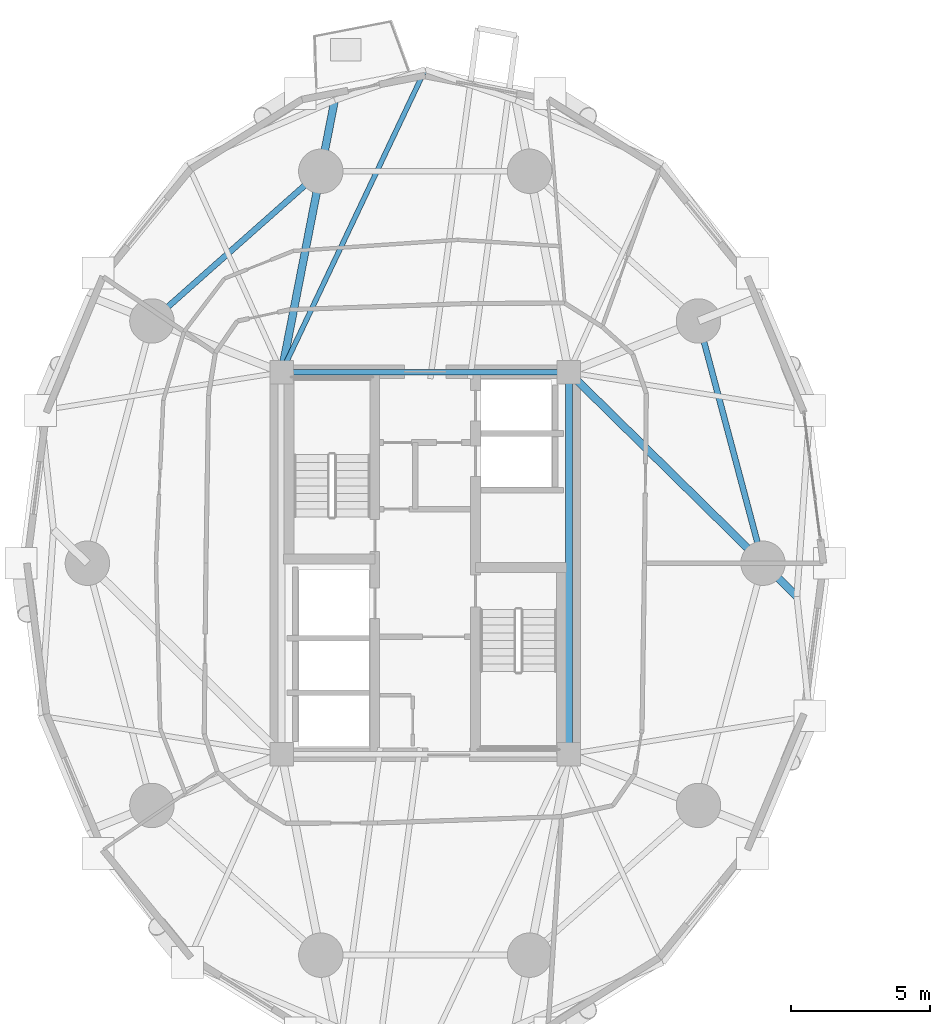
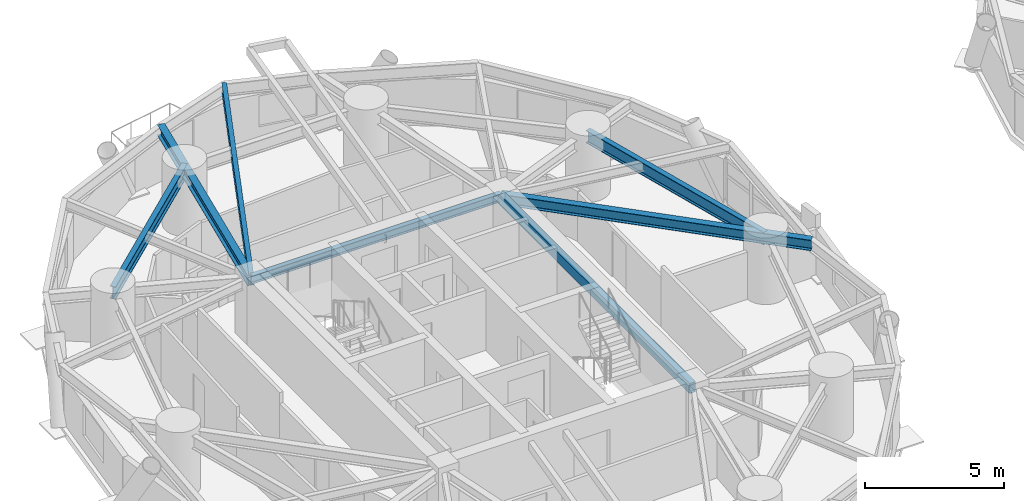
# One storey, part 2 of 18: 7 beams.
"""IFC4 building model written with IfcOpenShell, lengths in metres."""

from ifc_helpers import new_model, si_unit, direction, frame, origin, origin_2d, place, context, subcontext, project, spatial, hollow_rectangle, i_section, extrude, material, material_profile, profile_set, type_object, element, save


model = new_model("IFC4")

# Units and contexts
model_context = context("Model", 3, precision=1e-05, world=origin(), true_north=direction((0.0, 1.0)))
body_context = subcontext(model_context, "Body", "Model", "MODEL_VIEW")
ifc_project = project(units=[si_unit("LENGTHUNIT", "METRE"), si_unit("AREAUNIT", "SQUARE_METRE"), si_unit("VOLUMEUNIT", "CUBIC_METRE"), si_unit("PLANEANGLEUNIT", "RADIAN"), si_unit("MASSUNIT", "GRAM", prefix="KILO")], contexts=[model_context])

# Site, building, storey
site_placement = place(None, origin())
site = spatial("IfcSite", under=ifc_project, at=site_placement, CompositionType="ELEMENT")
building_placement = place(site_placement, origin())
building = spatial("IfcBuilding", under=site, at=building_placement, Name="Cununo Teusaquillo Station Towers", CompositionType="ELEMENT")
storey_placement = place(building_placement, frame((0.0, 0.0, 22.0)))
storey = spatial("IfcBuildingStorey", under=building, at=storey_placement, Name="L05", CompositionType="ELEMENT", Elevation=22.0)

# Beams
ifc_material_1 = material(Name="Steel EN 10025-2 S355J2", Category="steel")
ifc_material_profile_1 = material_profile(ifc_material_1, hollow_rectangle(XDim=0.25, YDim=0.449951171875, WallThickness=0.01611328125, at=origin_2d()), Name="RHS 450x250x16")
ifc_profile_set_1 = profile_set([ifc_material_profile_1], Name="Steel EN 10025-2 S355J2")
beam_type_1 = type_object("IfcBeamType", Name="BM-COUP-1", PredefinedType="USERDEFINED", material=ifc_profile_set_1)
beam_1_placement = place(storey_placement, frame((21.675048828125, 17.6201171875, 2.425048828125), z_axis=(0.0, 1.0, 0.0), x_axis=(-1.0, 0.0, 0.0)))
element("IfcBeam", 1, at=beam_1_placement, inside=storey, type_object=beam_type_1, Name="L05 Tower A Core Beam 2", ObjectType="COUPLING BEAM", PredefinedType="USERDEFINED", context=body_context, shape_type="SweptSolid", body=[
    extrude(hollow_rectangle(XDim=0.25, YDim=0.449951171875, WallThickness=0.01611328125, at=origin_2d()), origin(), (0.0, 0.0, 1.0), 13.759765625),
])
ifc_material_2 = material(Name="Steel ASTM A572 Grade 50", Category="steel")
ifc_material_profile_2 = material_profile(ifc_material_2, i_section(OverallWidth=0.180908203125, OverallDepth=0.4169921875, WebThickness=0.010986328125, FlangeThickness=0.018310546875, FilletRadius=0.012939453125, at=origin_2d()), Name="W16X57")
ifc_profile_set_2 = profile_set([ifc_material_profile_2], Name="Steel ASTM A572 Grade 50")
beam_type_2 = type_object("IfcBeamType", Name="BM-JOIST-1", PredefinedType="JOIST", material=ifc_profile_set_2)
beam_2_placement = place(storey_placement, frame((11.324951171875, 31.3798828125, 2.44140625), z_axis=(0.428565163203, 0.903510874804, 0.0), x_axis=(-0.903510874804, 0.428565163203, 0.0)))
element("IfcBeam", 2, at=beam_2_placement, inside=storey, type_object=beam_type_2, Name="L05 Tower A Radial Spandrel Joist V05", PredefinedType="JOIST", context=body_context, shape_type="SweptSolid", body=[
    extrude(i_section(OverallWidth=0.180908203125, OverallDepth=0.4169921875, WebThickness=0.010986328125, FlangeThickness=0.018310546875, FilletRadius=0.012939453125, at=origin_2d()), origin(), (0.0, 0.0, 1.0), 12.0751953125),
])
ifc_material_3 = material(Name="Steel ASTM A572 Grade 50", Category="steel")
ifc_material_profile_3 = material_profile(ifc_material_3, i_section(OverallWidth=0.2041015625, OverallDepth=0.35009765625, WebThickness=0.008544921875, FlangeThickness=0.01513671875, FilletRadius=0.011962890625, at=origin_2d()), Name="W14X48")
ifc_profile_set_3 = profile_set([ifc_material_profile_3], Name="Steel ASTM A572 Grade 50")
beam_type_3 = type_object("IfcBeamType", Name="BM-LINTEL-1", PredefinedType="LINTEL", material=ifc_profile_set_3)
beam_3_placement = place(storey_placement, frame((11.324951171875, 31.3798828125, 2.47509765625), z_axis=(1.0, 0.0, 0.0), x_axis=(0.0, 1.0, 0.0)))
element("IfcBeam", 3, at=beam_3_placement, inside=storey, type_object=beam_type_3, Name="L05 Tower A Core Beam 4", PredefinedType="LINTEL", context=body_context, shape_type="SweptSolid", body=[
    extrude(i_section(OverallWidth=0.2041015625, OverallDepth=0.35009765625, WebThickness=0.008544921875, FlangeThickness=0.01513671875, FilletRadius=0.011962890625, at=origin_2d()), origin(), (0.0, 0.0, 1.0), 10.35009765625),
])
ifc_material_4 = material(Name="Steel ASTM A572 Grade 50", Category="steel")
ifc_material_profile_4 = material_profile(ifc_material_4, i_section(OverallWidth=0.280029296875, OverallDepth=0.462890625, WebThickness=0.0107421875, FlangeThickness=0.017333984375, FilletRadius=0.013916015625, at=origin_2d()), Name="W18X76")
ifc_profile_set_4 = profile_set([ifc_material_profile_4], Name="Steel ASTM A572 Grade 50")
beam_type_4 = type_object("IfcBeamType", Name="BM-RAD-G1", PredefinedType="BEAM", material=ifc_profile_set_4)
beam_4_placement = place(storey_placement, frame((21.675048828125, 31.3798828125, 2.41845703125), z_axis=(0.713056160575, -0.701106918997, 0.0), x_axis=(0.701106918997, 0.713056160575, 0.0)))
element("IfcBeam", 4, at=beam_4_placement, inside=storey, type_object=beam_type_4, Name="L05 Tower A Continuous Overhanging Radial Girder 01", PredefinedType="BEAM", context=body_context, shape_type="SweptSolid", body=[
    extrude(i_section(OverallWidth=0.280029296875, OverallDepth=0.462890625, WebThickness=0.0107421875, FlangeThickness=0.017333984375, FilletRadius=0.013916015625, at=origin_2d()), origin(), (0.0, 0.0, 1.0), 11.5234375),
])
beam_5_placement = place(storey_placement, frame((11.324951171875, 31.3798828125, 2.41845703125), z_axis=(0.191551733899, 0.981482518051, 0.0), x_axis=(-0.981482518051, 0.191551733899, 0.0)))
element("IfcBeam", 5, at=beam_5_placement, inside=storey, type_object=beam_type_4, Name="L05 Tower A Continuous Overhanging Radial Girder 04", PredefinedType="BEAM", context=body_context, shape_type="SweptSolid", body=[
    extrude(i_section(OverallWidth=0.280029296875, OverallDepth=0.462890625, WebThickness=0.0107421875, FlangeThickness=0.017333984375, FilletRadius=0.013916015625, at=origin_2d()), origin(), (0.0, 0.0, 1.0), 9.982177734375),
])
ifc_material_5 = material(Name="Steel ASTM A572 Grade 50", Category="steel")
ifc_material_profile_5 = material_profile(ifc_material_5, i_section(OverallWidth=0.214111328125, OverallDepth=0.549072265625, WebThickness=0.0146484375, FlangeThickness=0.023681640625, FilletRadius=0.014892578125, at=origin_2d()), Name="W21X93")
ifc_profile_set_5 = profile_set([ifc_material_profile_5], Name="Steel ASTM A572 Grade 50")
beam_type_5 = type_object("IfcBeamType", Name="BM-RING-Z1", PredefinedType="SPANDREL", material=ifc_profile_set_5)
beam_6_placement = place(storey_placement, frame((28.672119140625, 24.5, 2.37548828125), z_axis=(-0.257363196347, 0.966314744359, 0.0), x_axis=(-0.966314744359, -0.257363196347, 0.0)))
element("IfcBeam", 6, at=beam_6_placement, inside=storey, type_object=beam_type_5, Name="L05 Tower A Structural Column Ring Girder 01", PredefinedType="SPANDREL", context=body_context, shape_type="SweptSolid", body=[
    extrude(i_section(OverallWidth=0.214111328125, OverallDepth=0.549072265625, WebThickness=0.0146484375, FlangeThickness=0.023681640625, FilletRadius=0.014892578125, at=origin_2d()), origin(), (0.0, 0.0, 1.0), 9.03271484375),
])
beam_7_placement = place(storey_placement, frame((12.738525390625, 38.623291015625, 2.37548828125), z_axis=(-0.74832120039, -0.66333655187, 0.0), x_axis=(0.66333655187, -0.74832120039, 0.0)))
element("IfcBeam", 7, at=beam_7_placement, inside=storey, type_object=beam_type_5, Name="L05 Tower A Structural Column Ring Girder 04", PredefinedType="SPANDREL", context=body_context, shape_type="SweptSolid", body=[
    extrude(i_section(OverallWidth=0.214111328125, OverallDepth=0.549072265625, WebThickness=0.0146484375, FlangeThickness=0.023681640625, FilletRadius=0.014892578125, at=origin_2d()), origin(), (0.0, 0.0, 1.0), 8.1328125),
])

save(model, "model.ifc")
